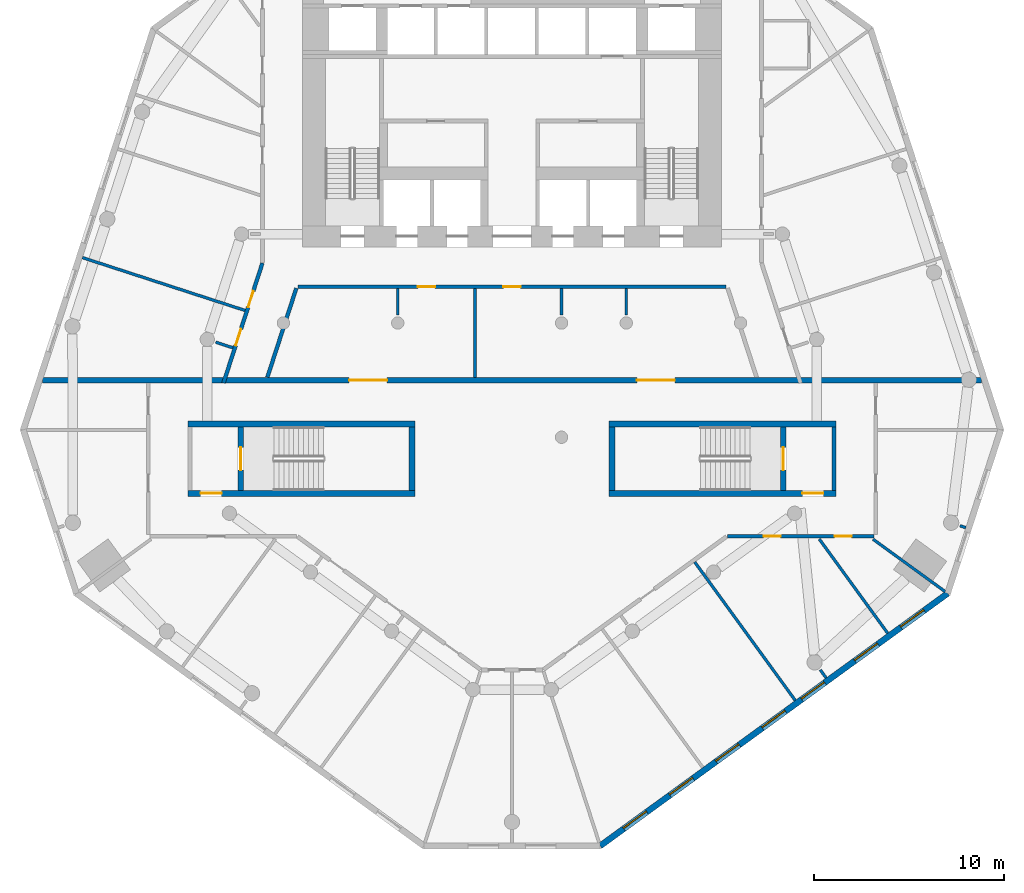
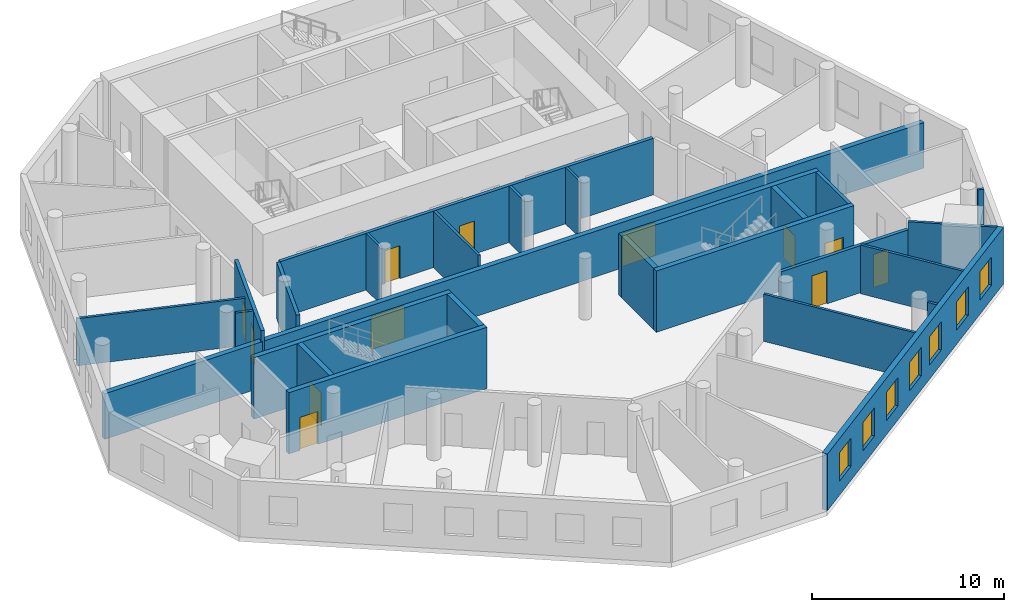
# One storey, part 3 of 9: 26 walls, 12 doors, 7 windows, 19 openings.
"""IFC4 building model written with IfcOpenShell, lengths in metres."""

from ifc_helpers import new_model, si_unit, direction, frame, frame_2d, origin, place, context, subcontext, project, spatial, rectangle, extrude, material, layer, layer_set, type_object, element, fill, save


model = new_model("IFC4")

# Units and contexts
model_context = context("Model", 3, precision=1e-05, world=origin(), true_north=direction((0.0, 1.0)))
body_context = subcontext(model_context, "Body", "Model", "MODEL_VIEW")
ifc_project = project(units=[si_unit("LENGTHUNIT", "METRE"), si_unit("AREAUNIT", "SQUARE_METRE"), si_unit("VOLUMEUNIT", "CUBIC_METRE"), si_unit("PLANEANGLEUNIT", "RADIAN"), si_unit("MASSUNIT", "GRAM", prefix="KILO")], contexts=[model_context])

# Site, building, storey
site_placement = place(None, origin())
site = spatial("IfcSite", under=ifc_project, at=site_placement, CompositionType="ELEMENT")
building_placement = place(site_placement, origin())
building = spatial("IfcBuilding", under=site, at=building_placement, Name="White Candle Pilgrim Tower", CompositionType="ELEMENT")
storey_placement = place(building_placement, frame((0.0, 0.0, 110.300048828125)))
storey = spatial("IfcBuildingStorey", under=building, at=storey_placement, Name="L24", CompositionType="ELEMENT", Elevation=110.300048828125)

# Wall
ifc_material_1 = material(Name="Concrete C60/75", Category="concrete")
ifc_layer_1 = layer(ifc_material_1, 0.199951171875)
ifc_layer_set_1 = layer_set([ifc_layer_1], Name="Core wall 200 mm Concrete C60/75")
wall_type_1 = type_object("IfcWallType", Name="Core wall 200 mm Concrete C60/75", PredefinedType="SHEAR", material=ifc_layer_set_1)
wall_1_placement = place(storey_placement, frame((86.89990234375, 58.199951171875, 0.0), z_axis=(0.0, 0.0, 1.0), x_axis=(0.0, 1.0, 0.0)))
element("IfcWall", 1, at=wall_1_placement, inside=storey, type_object=wall_type_1, Name="WL-L24-C08", PredefinedType="SHEAR", context=body_context, shape_type="SweptSolid", body=[
    extrude(rectangle(XDim=3.35009765625, YDim=0.199951171875, at=frame_2d((1.675048828125, 0.0))), origin(), (0.0, 0.0, 1.0), 3.89990234375),
])

# Wall, openings, doors
ifc_material_2 = material(Name="Gypsum board on steel studs", Category="steel")
ifc_layer_2 = layer(ifc_material_2, 0.199951171875)
ifc_layer_set_2 = layer_set([ifc_layer_2], Name="Corridor wall 200 mm EI 45")
wall_type_2 = type_object("IfcWallType", Name="Corridor wall 200 mm EI 45", PredefinedType="PARTITIONING", material=ifc_layer_set_2)
wall_2_placement = place(storey_placement, frame((54.850341796875, 63.85009765625, 0.0), z_axis=(0.0, 0.0, 1.0), x_axis=(0.309001809517, 0.951061450021, 0.0)))
wall_2 = element("IfcWall", 2, at=wall_2_placement, inside=storey, type_object=wall_type_2, Name="WL-L24-P002", PredefinedType="PARTITIONING", context=body_context, shape_type="SweptSolid", body=[
    extrude(rectangle(XDim=6.616943359375, YDim=0.199951171875, at=frame_2d((3.30859375, 0.0))), origin(), (0.0, 0.0, 1.0), 3.599853515625),
])
opening_1_placement = place(wall_2_placement, frame((2.076171875, 0.0, 0.0)))
opening_1 = element("IfcOpeningElement", 3, at=opening_1_placement, cuts=wall_2, Name="Opening T07-117", PredefinedType="OPENING", context=body_context, shape_type="SweptSolid", body=[
    extrude(rectangle(XDim=0.89990234375, YDim=2.10009765625, at=frame_2d((0.449951171875, 1.050048828125))), frame((0.0, 0.10986328125, 0.0), z_axis=(0.0, -1.0, 0.0), x_axis=(1.0, 0.0, 0.0)), (0.0, 0.0, 1.0), 0.219970703125),
])
opening_2_placement = place(wall_2_placement, frame((4.181884765625, 0.0, 0.0)))
opening_2 = element("IfcOpeningElement", 4, at=opening_2_placement, cuts=wall_2, Name="Opening T07-118", PredefinedType="OPENING", context=body_context, shape_type="SweptSolid", body=[
    extrude(rectangle(XDim=0.89990234375, YDim=2.10009765625, at=frame_2d((0.449951171875, 1.050048828125))), frame((0.0, 0.10986328125, 0.0), z_axis=(0.0, -1.0, 0.0), x_axis=(1.0, 0.0, 0.0)), (0.0, 0.0, 1.0), 0.219970703125),
])
ifc_material_3 = material(Name="Steel door leaf", Category="steel")
door_type_1 = type_object("IfcDoorType", Name="Fire door 900 x 2100 EI 30", OperationType="NOTDEFINED", PredefinedType="DOOR", material=ifc_material_3)
door_1_placement = place(opening_1_placement, origin())
door_1 = element("IfcDoor", 5, at=door_1_placement, inside=storey, type_object=door_type_1, Name="Door T07-117", OperationType="SINGLE_SWING_LEFT", OverallHeight=2.10009765625, OverallWidth=0.89990234375, PredefinedType="DOOR", context=body_context, shape_type="SweptSolid", body=[
    extrude(rectangle(XDim=0.89990234375, YDim=2.10009765625, at=frame_2d((0.449951171875, 1.050048828125))), frame((0.0, 0.02490234375, 0.0), z_axis=(0.0, -1.0, 0.0), x_axis=(1.0, 0.0, 0.0)), (0.0, 0.0, 1.0), 0.050048828125),
])
fill(opening_1, door_1)
door_2_placement = place(opening_2_placement, origin())
door_2 = element("IfcDoor", 6, at=door_2_placement, inside=storey, type_object=door_type_1, Name="Door T07-118", OperationType="SINGLE_SWING_RIGHT", OverallHeight=2.10009765625, OverallWidth=0.89990234375, PredefinedType="DOOR", context=body_context, shape_type="SweptSolid", body=[
    extrude(rectangle(XDim=0.89990234375, YDim=2.10009765625, at=frame_2d((0.449951171875, 1.050048828125))), frame((0.0, 0.02490234375, 0.0), z_axis=(0.0, -1.0, 0.0), x_axis=(1.0, 0.0, 0.0)), (0.0, 0.0, 1.0), 0.050048828125),
])
fill(opening_2, door_2)

wall_3_placement = place(storey_placement, frame((89.0, 55.800048828125, 0.0), z_axis=(0.0, 0.0, 1.0), x_axis=(-1.0, 0.0, 0.0)))
wall_3 = element("IfcWall", 7, at=wall_3_placement, inside=storey, type_object=wall_type_2, Name="WL-L24-P007", PredefinedType="PARTITIONING", context=body_context, shape_type="SweptSolid", body=[
    extrude(rectangle(XDim=7.68359375, YDim=0.199951171875, at=frame_2d((3.841796875, 0.0))), origin(), (0.0, 0.0, 1.0), 3.0),
])
opening_3_placement = place(wall_3_placement, frame((4.893310546875, 0.0, 0.0)))
opening_3 = element("IfcOpeningElement", 8, at=opening_3_placement, cuts=wall_3, Name="Opening T07-110", PredefinedType="OPENING", context=body_context, shape_type="SweptSolid", body=[
    extrude(rectangle(XDim=0.89990234375, YDim=2.10009765625, at=frame_2d((0.449951171875, 1.050048828125))), frame((0.0, 0.10986328125, 0.0), z_axis=(0.0, -1.0, 0.0), x_axis=(1.0, 0.0, 0.0)), (0.0, 0.0, 1.0), 0.219970703125),
])
opening_4_placement = place(wall_3_placement, frame((1.16162109375, 0.0, 0.0)))
opening_4 = element("IfcOpeningElement", 9, at=opening_4_placement, cuts=wall_3, Name="Opening T07-111", PredefinedType="OPENING", context=body_context, shape_type="SweptSolid", body=[
    extrude(rectangle(XDim=0.89990234375, YDim=2.10009765625, at=frame_2d((0.449951171875, 1.050048828125))), frame((0.0, 0.10986328125, 0.0), z_axis=(0.0, -1.0, 0.0), x_axis=(1.0, 0.0, 0.0)), (0.0, 0.0, 1.0), 0.219970703125),
])
door_3_placement = place(opening_3_placement, origin())
door_3 = element("IfcDoor", 10, at=door_3_placement, inside=storey, type_object=door_type_1, Name="Door T07-110", OperationType="SINGLE_SWING_RIGHT", OverallHeight=2.10009765625, OverallWidth=0.89990234375, PredefinedType="DOOR", context=body_context, shape_type="SweptSolid", body=[
    extrude(rectangle(XDim=0.89990234375, YDim=2.10009765625, at=frame_2d((0.449951171875, 1.050048828125))), frame((0.0, 0.02490234375, 0.0), z_axis=(0.0, -1.0, 0.0), x_axis=(1.0, 0.0, 0.0)), (0.0, 0.0, 1.0), 0.050048828125),
])
fill(opening_3, door_3)
door_4_placement = place(opening_4_placement, origin())
door_4 = element("IfcDoor", 11, at=door_4_placement, inside=storey, type_object=door_type_1, Name="Door T07-111", OperationType="SINGLE_SWING_LEFT", OverallHeight=2.10009765625, OverallWidth=0.89990234375, PredefinedType="DOOR", context=body_context, shape_type="SweptSolid", body=[
    extrude(rectangle(XDim=0.89990234375, YDim=2.10009765625, at=frame_2d((0.449951171875, 1.050048828125))), frame((0.0, 0.02490234375, 0.0), z_axis=(0.0, -1.0, 0.0), x_axis=(1.0, 0.0, 0.0)), (0.0, 0.0, 1.0), 0.050048828125),
])
fill(opening_4, door_4)

wall_4_placement = place(storey_placement, frame((81.22802734375, 68.89990234375, 0.0), z_axis=(0.0, 0.0, 1.0), x_axis=(-1.0, 0.0, 0.0)))
wall_4 = element("IfcWall", 12, at=wall_4_placement, inside=storey, type_object=wall_type_2, Name="WL-L24-P013", PredefinedType="PARTITIONING", context=body_context, shape_type="SweptSolid", body=[
    extrude(rectangle(XDim=22.4560546875, YDim=0.199951171875, at=frame_2d((11.22802734375, 0.0))), origin(), (0.0, 0.0, 1.0), 3.599853515625),
])
opening_5_placement = place(wall_4_placement, frame((10.778076171875, 0.0, 0.0)))
opening_5 = element("IfcOpeningElement", 13, at=opening_5_placement, cuts=wall_4, Name="Opening T07-128", PredefinedType="OPENING", context=body_context, shape_type="SweptSolid", body=[
    extrude(rectangle(XDim=0.89990234375, YDim=2.10009765625, at=frame_2d((0.449951171875, 1.050048828125))), frame((0.0, 0.10986328125, 0.0), z_axis=(0.0, -1.0, 0.0), x_axis=(1.0, 0.0, 0.0)), (0.0, 0.0, 1.0), 0.219970703125),
])
opening_6_placement = place(wall_4_placement, frame((15.269287109375, 0.0, 0.0)))
opening_6 = element("IfcOpeningElement", 14, at=opening_6_placement, cuts=wall_4, Name="Opening T07-129", PredefinedType="OPENING", context=body_context, shape_type="SweptSolid", body=[
    extrude(rectangle(XDim=0.89990234375, YDim=2.10009765625, at=frame_2d((0.449951171875, 1.050048828125))), frame((0.0, 0.10986328125, 0.0), z_axis=(0.0, -1.0, 0.0), x_axis=(1.0, 0.0, 0.0)), (0.0, 0.0, 1.0), 0.219970703125),
])
door_5_placement = place(opening_5_placement, origin())
door_5 = element("IfcDoor", 15, at=door_5_placement, inside=storey, type_object=door_type_1, Name="Door T07-128", OperationType="SINGLE_SWING_RIGHT", OverallHeight=2.10009765625, OverallWidth=0.89990234375, PredefinedType="DOOR", context=body_context, shape_type="SweptSolid", body=[
    extrude(rectangle(XDim=0.89990234375, YDim=2.10009765625, at=frame_2d((0.449951171875, 1.050048828125))), frame((0.0, 0.02490234375, 0.0), z_axis=(0.0, -1.0, 0.0), x_axis=(1.0, 0.0, 0.0)), (0.0, 0.0, 1.0), 0.050048828125),
])
fill(opening_5, door_5)
door_6_placement = place(opening_6_placement, origin())
door_6 = element("IfcDoor", 16, at=door_6_placement, inside=storey, type_object=door_type_1, Name="Door T07-129", OperationType="SINGLE_SWING_LEFT", OverallHeight=2.10009765625, OverallWidth=0.89990234375, PredefinedType="DOOR", context=body_context, shape_type="SweptSolid", body=[
    extrude(rectangle(XDim=0.89990234375, YDim=2.10009765625, at=frame_2d((0.449951171875, 1.050048828125))), frame((0.0, 0.02490234375, 0.0), z_axis=(0.0, -1.0, 0.0), x_axis=(1.0, 0.0, 0.0)), (0.0, 0.0, 1.0), 0.050048828125),
])
fill(opening_6, door_6)

# Wall
wall_5_placement = place(storey_placement, frame((58.6767578125, 68.830810546875, 0.0), z_axis=(0.0, 0.0, 1.0), x_axis=(-0.309031112369, -0.951051928965, 0.0)))
element("IfcWall", 17, at=wall_5_placement, inside=storey, type_object=wall_type_2, Name="WL-L24-P014", PredefinedType="PARTITIONING", context=body_context, shape_type="SweptSolid", body=[
    extrude(rectangle(XDim=4.921875, YDim=0.199951171875, at=frame_2d((2.4609375, 0.0))), origin(), (0.0, 0.0, 1.0), 3.599853515625),
])

# Wall, openings, windows
ifc_material_4 = material(Name="Precast concrete C40/50", Category="concrete")
ifc_layer_3 = layer(ifc_material_4, 0.320068359375)
ifc_layer_set_3 = layer_set([ifc_layer_3], Name="Facade wall EW1 precast concrete C40/50 pier wall with timber-lined reveals")
wall_type_3 = type_object("IfcWallType", Name="Facade wall EW1 precast concrete C40/50 pier wall with timber-lined reveals", PredefinedType="SOLIDWALL", material=ifc_layer_set_3)
wall_6_placement = place(storey_placement, frame((74.631103515625, 39.545166015625, 0.0), z_axis=(0.0, 0.0, 1.0), x_axis=(0.809019687389, 0.587781545659, 0.0)))
wall_6 = element("IfcWall", 18, at=wall_6_placement, inside=storey, type_object=wall_type_3, Name="Facade wall L24 SE", PredefinedType="SOLIDWALL", context=body_context, shape_type="SweptSolid", body=[
    extrude(rectangle(XDim=22.551513671875, YDim=0.320068359375, at=frame_2d((11.27587890625, 0.0))), origin(), (0.0, 0.0, 1.0), 3.599853515625),
])
opening_7_placement = place(wall_6_placement, frame((1.52587890625, 0.0, 0.89990234375)))
opening_7 = element("IfcOpeningElement", 19, at=opening_7_placement, cuts=wall_6, Name="Opening W1", PredefinedType="OPENING", context=body_context, shape_type="SweptSolid", body=[
    extrude(rectangle(XDim=1.5, YDim=1.800048828125, at=frame_2d((0.75, 0.89990234375))), frame((0.0, 0.169921875, 0.0), z_axis=(0.0, -1.0, 0.0), x_axis=(1.0, 0.0, 0.0)), (0.0, 0.0, 1.0), 0.340087890625),
])
opening_8_placement = place(wall_6_placement, frame((4.52587890625, 0.0, 0.89990234375)))
opening_8 = element("IfcOpeningElement", 20, at=opening_8_placement, cuts=wall_6, Name="Opening W1", PredefinedType="OPENING", context=body_context, shape_type="SweptSolid", body=[
    extrude(rectangle(XDim=1.5, YDim=1.800048828125, at=frame_2d((0.75, 0.89990234375))), frame((0.0, 0.169921875, 0.0), z_axis=(0.0, -1.0, 0.0), x_axis=(1.0, 0.0, 0.0)), (0.0, 0.0, 1.0), 0.340087890625),
])
opening_9_placement = place(wall_6_placement, frame((7.52587890625, 0.0, 0.89990234375)))
opening_9 = element("IfcOpeningElement", 21, at=opening_9_placement, cuts=wall_6, Name="Opening W1", PredefinedType="OPENING", context=body_context, shape_type="SweptSolid", body=[
    extrude(rectangle(XDim=1.5, YDim=1.800048828125, at=frame_2d((0.75, 0.89990234375))), frame((0.0, 0.169921875, 0.0), z_axis=(0.0, -1.0, 0.0), x_axis=(1.0, 0.0, 0.0)), (0.0, 0.0, 1.0), 0.340087890625),
])
opening_10_placement = place(wall_6_placement, frame((10.52587890625, 0.0, 0.89990234375)))
opening_10 = element("IfcOpeningElement", 22, at=opening_10_placement, cuts=wall_6, Name="Opening W1", PredefinedType="OPENING", context=body_context, shape_type="SweptSolid", body=[
    extrude(rectangle(XDim=1.5, YDim=1.800048828125, at=frame_2d((0.75, 0.89990234375))), frame((0.0, 0.169921875, 0.0), z_axis=(0.0, -1.0, 0.0), x_axis=(1.0, 0.0, 0.0)), (0.0, 0.0, 1.0), 0.340087890625),
])
opening_11_placement = place(wall_6_placement, frame((13.075927734375, 0.0, 0.89990234375)))
opening_11 = element("IfcOpeningElement", 23, at=opening_11_placement, cuts=wall_6, Name="Opening W1", PredefinedType="OPENING", context=body_context, shape_type="SweptSolid", body=[
    extrude(rectangle(XDim=1.5, YDim=1.800048828125, at=frame_2d((0.75, 0.89990234375))), frame((0.0, 0.169921875, 0.0), z_axis=(0.0, -1.0, 0.0), x_axis=(1.0, 0.0, 0.0)), (0.0, 0.0, 1.0), 0.340087890625),
])
opening_12_placement = place(wall_6_placement, frame((16.52587890625, 0.0, 0.89990234375)))
opening_12 = element("IfcOpeningElement", 24, at=opening_12_placement, cuts=wall_6, Name="Opening W1", PredefinedType="OPENING", context=body_context, shape_type="SweptSolid", body=[
    extrude(rectangle(XDim=1.5, YDim=1.800048828125, at=frame_2d((0.75, 0.89990234375))), frame((0.0, 0.169921875, 0.0), z_axis=(0.0, -1.0, 0.0), x_axis=(1.0, 0.0, 0.0)), (0.0, 0.0, 1.0), 0.340087890625),
])
opening_13_placement = place(wall_6_placement, frame((19.52587890625, 0.0, 0.89990234375)))
opening_13 = element("IfcOpeningElement", 25, at=opening_13_placement, cuts=wall_6, Name="Opening W1", PredefinedType="OPENING", context=body_context, shape_type="SweptSolid", body=[
    extrude(rectangle(XDim=1.5, YDim=1.800048828125, at=frame_2d((0.75, 0.89990234375))), frame((0.0, 0.169921875, 0.0), z_axis=(0.0, -1.0, 0.0), x_axis=(1.0, 0.0, 0.0)), (0.0, 0.0, 1.0), 0.340087890625),
])
ifc_material_5 = material(Name="Timber frame with triple glazing", Category="wood")
window_type = type_object("IfcWindowType", Name="Window W1 1500x1800 timber frame triple glazing", PartitioningType="SINGLE_PANEL", PredefinedType="WINDOW", material=ifc_material_5)
window_1_placement = place(opening_7_placement, origin())
window_1 = element("IfcWindow", 26, at=window_1_placement, inside=storey, type_object=window_type, Name="Window W1 L24 SE 1", OverallHeight=1.800048828125, OverallWidth=1.5, PartitioningType="SINGLE_PANEL", PredefinedType="WINDOW", context=body_context, shape_type="SweptSolid", body=[
    extrude(rectangle(XDim=1.5, YDim=1.800048828125, at=frame_2d((0.75, 0.89990234375))), frame((0.0, 0.070068359375, 0.0), z_axis=(0.0, -1.0, 0.0), x_axis=(1.0, 0.0, 0.0)), (0.0, 0.0, 1.0), 0.06005859375),
])
fill(opening_7, window_1)
window_2_placement = place(opening_8_placement, origin())
window_2 = element("IfcWindow", 27, at=window_2_placement, inside=storey, type_object=window_type, Name="Window W1 L24 SE 2", OverallHeight=1.800048828125, OverallWidth=1.5, PartitioningType="SINGLE_PANEL", PredefinedType="WINDOW", context=body_context, shape_type="SweptSolid", body=[
    extrude(rectangle(XDim=1.5, YDim=1.800048828125, at=frame_2d((0.75, 0.89990234375))), frame((0.0, 0.070068359375, 0.0), z_axis=(0.0, -1.0, 0.0), x_axis=(1.0, 0.0, 0.0)), (0.0, 0.0, 1.0), 0.06005859375),
])
fill(opening_8, window_2)
window_3_placement = place(opening_9_placement, origin())
window_3 = element("IfcWindow", 28, at=window_3_placement, inside=storey, type_object=window_type, Name="Window W1 L24 SE 3", OverallHeight=1.800048828125, OverallWidth=1.5, PartitioningType="SINGLE_PANEL", PredefinedType="WINDOW", context=body_context, shape_type="SweptSolid", body=[
    extrude(rectangle(XDim=1.5, YDim=1.800048828125, at=frame_2d((0.75, 0.89990234375))), frame((0.0, 0.070068359375, 0.0), z_axis=(0.0, -1.0, 0.0), x_axis=(1.0, 0.0, 0.0)), (0.0, 0.0, 1.0), 0.06005859375),
])
fill(opening_9, window_3)
window_4_placement = place(opening_10_placement, origin())
window_4 = element("IfcWindow", 29, at=window_4_placement, inside=storey, type_object=window_type, Name="Window W1 L24 SE 4", OverallHeight=1.800048828125, OverallWidth=1.5, PartitioningType="SINGLE_PANEL", PredefinedType="WINDOW", context=body_context, shape_type="SweptSolid", body=[
    extrude(rectangle(XDim=1.5, YDim=1.800048828125, at=frame_2d((0.75, 0.89990234375))), frame((0.0, 0.070068359375, 0.0), z_axis=(0.0, -1.0, 0.0), x_axis=(1.0, 0.0, 0.0)), (0.0, 0.0, 1.0), 0.06005859375),
])
fill(opening_10, window_4)
window_5_placement = place(opening_11_placement, origin())
window_5 = element("IfcWindow", 30, at=window_5_placement, inside=storey, type_object=window_type, Name="Window W1 L24 SE 5", OverallHeight=1.800048828125, OverallWidth=1.5, PartitioningType="SINGLE_PANEL", PredefinedType="WINDOW", context=body_context, shape_type="SweptSolid", body=[
    extrude(rectangle(XDim=1.5, YDim=1.800048828125, at=frame_2d((0.75, 0.89990234375))), frame((0.0, 0.070068359375, 0.0), z_axis=(0.0, -1.0, 0.0), x_axis=(1.0, 0.0, 0.0)), (0.0, 0.0, 1.0), 0.06005859375),
])
fill(opening_11, window_5)
window_6_placement = place(opening_12_placement, origin())
window_6 = element("IfcWindow", 31, at=window_6_placement, inside=storey, type_object=window_type, Name="Window W1 L24 SE 6", OverallHeight=1.800048828125, OverallWidth=1.5, PartitioningType="SINGLE_PANEL", PredefinedType="WINDOW", context=body_context, shape_type="SweptSolid", body=[
    extrude(rectangle(XDim=1.5, YDim=1.800048828125, at=frame_2d((0.75, 0.89990234375))), frame((0.0, 0.070068359375, 0.0), z_axis=(0.0, -1.0, 0.0), x_axis=(1.0, 0.0, 0.0)), (0.0, 0.0, 1.0), 0.06005859375),
])
fill(opening_12, window_6)
window_7_placement = place(opening_13_placement, origin())
window_7 = element("IfcWindow", 32, at=window_7_placement, inside=storey, type_object=window_type, Name="Window W1 L24 SE 7", OverallHeight=1.800048828125, OverallWidth=1.5, PartitioningType="SINGLE_PANEL", PredefinedType="WINDOW", context=body_context, shape_type="SweptSolid", body=[
    extrude(rectangle(XDim=1.5, YDim=1.800048828125, at=frame_2d((0.75, 0.89990234375))), frame((0.0, 0.070068359375, 0.0), z_axis=(0.0, -1.0, 0.0), x_axis=(1.0, 0.0, 0.0)), (0.0, 0.0, 1.0), 0.06005859375),
])
fill(opening_13, window_7)

# Wall, openings, doors
ifc_material_6 = material(Name="Aerated concrete block", Category="concrete")
ifc_layer_4 = layer(ifc_material_6, 0.300048828125)
ifc_layer_set_4 = layer_set([ifc_layer_4], Name="Fire wall 300 mm REI 240")
wall_type_4 = type_object("IfcWallType", Name="Fire wall 300 mm REI 240", PredefinedType="PARTITIONING", material=ifc_layer_set_4)
wall_7_placement = place(storey_placement, frame((45.351806640625, 64.0, 0.0), z_axis=(0.0, 0.0, 1.0), x_axis=(1.0, 0.0, 0.0)))
wall_7 = element("IfcWall", 33, at=wall_7_placement, inside=storey, type_object=wall_type_4, Name="WL-L24-P001", PredefinedType="PARTITIONING", context=body_context, shape_type="SweptSolid", body=[
    extrude(rectangle(XDim=49.29638671875, YDim=0.300048828125, at=frame_2d((24.648193359375, 0.0))), origin(), (0.0, 0.0, 1.0), 2.89990234375),
])
opening_14_placement = place(wall_7_placement, frame((16.09765625, 0.0, 0.0)))
opening_14 = element("IfcOpeningElement", 34, at=opening_14_placement, cuts=wall_7, Name="Opening T07-114", PredefinedType="OPENING", context=body_context, shape_type="SweptSolid", body=[
    extrude(rectangle(XDim=2.0, YDim=2.10009765625, at=frame_2d((1.0, 1.050048828125))), frame((0.0, 0.159912109375, 0.0), z_axis=(0.0, -1.0, 0.0), x_axis=(1.0, 0.0, 0.0)), (0.0, 0.0, 1.0), 0.320068359375),
])
opening_15_placement = place(wall_7_placement, frame((31.19873046875, 0.0, 0.0)))
opening_15 = element("IfcOpeningElement", 35, at=opening_15_placement, cuts=wall_7, Name="Opening T07-115", PredefinedType="OPENING", context=body_context, shape_type="SweptSolid", body=[
    extrude(rectangle(XDim=2.0, YDim=2.10009765625, at=frame_2d((1.0, 1.050048828125))), frame((0.0, 0.159912109375, 0.0), z_axis=(0.0, -1.0, 0.0), x_axis=(1.0, 0.0, 0.0)), (0.0, 0.0, 1.0), 0.320068359375),
])
door_type_2 = type_object("IfcDoorType", Name="Fire door 2000 x 2100 EI 60", OperationType="NOTDEFINED", PredefinedType="DOOR", material=ifc_material_3)
door_7_placement = place(opening_14_placement, origin())
door_7 = element("IfcDoor", 36, at=door_7_placement, inside=storey, type_object=door_type_2, Name="Door T07-114", OperationType="DOUBLE_DOOR_SINGLE_SWING", OverallHeight=2.10009765625, OverallWidth=2.0, PredefinedType="DOOR", context=body_context, shape_type="SweptSolid", body=[
    extrude(rectangle(XDim=2.0, YDim=2.10009765625, at=frame_2d((1.0, 1.050048828125))), frame((0.0, 0.02490234375, 0.0), z_axis=(0.0, -1.0, 0.0), x_axis=(1.0, 0.0, 0.0)), (0.0, 0.0, 1.0), 0.050048828125),
])
fill(opening_14, door_7)
door_8_placement = place(opening_15_placement, origin())
door_8 = element("IfcDoor", 37, at=door_8_placement, inside=storey, type_object=door_type_2, Name="Door T07-115", OperationType="DOUBLE_DOOR_SINGLE_SWING", OverallHeight=2.10009765625, OverallWidth=2.0, PredefinedType="DOOR", context=body_context, shape_type="SweptSolid", body=[
    extrude(rectangle(XDim=2.0, YDim=2.10009765625, at=frame_2d((1.0, 1.050048828125))), frame((0.0, 0.02490234375, 0.0), z_axis=(0.0, -1.0, 0.0), x_axis=(1.0, 0.0, 0.0)), (0.0, 0.0, 1.0), 0.050048828125),
])
fill(opening_15, door_8)

# Walls
ifc_layer_5 = layer(ifc_material_2, 0.14990234375)
ifc_layer_set_5 = layer_set([ifc_layer_5], Name="Partition 150 mm EI 60")
wall_type_5 = type_object("IfcWallType", Name="Partition 150 mm EI 60", PredefinedType="PARTITIONING", material=ifc_layer_set_5)
wall_8_placement = place(storey_placement, frame((92.739501953125, 52.8994140625, 0.0), z_axis=(0.0, 0.0, 1.0), x_axis=(-0.808989118663, 0.587823618005, 0.0)))
element("IfcWall", 38, at=wall_8_placement, inside=storey, type_object=wall_type_5, Name="WL-L24-P021", PredefinedType="PARTITIONING", context=body_context, shape_type="SweptSolid", body=[
    extrude(rectangle(XDim=4.671630859375, YDim=0.14990234375, at=frame_2d((2.3359375, 0.0))), origin(), (0.0, 0.0, 1.0), 3.599853515625),
])
for number, where, z_axis, x_axis, name in (
    (39, (47.442138671875, 70.433837890625, 0.0), (0.0, 0.0, 1.0), (0.951059239389, -0.309008613427, 0.0), "WL-L24-P027"),
    (40, (84.872802734375, 47.18408203125, 0.0), (0.0, 0.0, 1.0), (-0.587790127827, 0.809013452069, 0.0), "WL-L24-P033"),
):
    element("IfcWall", number, at=place(storey_placement, frame(where, z_axis=z_axis, x_axis=x_axis)), inside=storey, type_object=wall_type_5, Name=name, PredefinedType="PARTITIONING", context=body_context, shape_type="SweptSolid", body=[
        extrude(rectangle(XDim=8.97998046875, YDim=0.14990234375, at=frame_2d((4.489990234375, 0.0))), origin(), (0.0, 0.0, 1.0), 3.0),
    ])
wall_9_placement = place(storey_placement, frame((89.72705078125, 50.710693359375, 0.0), z_axis=(0.0, 0.0, 1.0), x_axis=(-0.587789292406, 0.809014059045, 0.0)))
element("IfcWall", 41, at=wall_9_placement, inside=storey, type_object=wall_type_5, Name="WL-L24-P034", PredefinedType="PARTITIONING", context=body_context, shape_type="SweptSolid", body=[
    extrude(rectangle(XDim=6.11279296875, YDim=0.14990234375, at=frame_2d((3.056396484375, 0.0))), origin(), (0.0, 0.0, 1.0), 3.099853515625),
])
wall_10_placement = place(storey_placement, frame((68.053466796875, 64.14990234375, 0.0), z_axis=(0.0, 0.0, 1.0), x_axis=(0.0, 1.0, 0.0)))
element("IfcWall", 42, at=wall_10_placement, inside=storey, type_object=wall_type_5, Name="WL-L24-P040", PredefinedType="PARTITIONING", context=body_context, shape_type="SweptSolid", body=[
    extrude(rectangle(XDim=4.650146484375, YDim=0.14990234375, at=frame_2d((2.3251953125, 0.0))), origin(), (0.0, 0.0, 1.0), 3.599853515625),
])
wall_11_placement = place(storey_placement, frame((86.18603515625, 48.78955078125, 0.0), z_axis=(0.0, 0.0, 1.0), x_axis=(0.5877034691, -0.809076407027, 0.0)))
element("IfcWall", 43, at=wall_11_placement, inside=storey, type_object=wall_type_5, Name="WL-L24-P044", PredefinedType="PARTITIONING", context=body_context, shape_type="SweptSolid", body=[
    extrude(rectangle(XDim=0.527099609375, YDim=0.14990234375, at=frame_2d((0.263671875, 0.0))), origin(), (0.0, 0.0, 1.0), 3.599853515625),
])
wall_12_placement = place(storey_placement, frame((93.52490234375, 56.35498046875, 0.0), z_axis=(0.0, 0.0, 1.0), x_axis=(0.950866223674, -0.309602042428, 0.0)))
element("IfcWall", 44, at=wall_12_placement, inside=storey, type_object=wall_type_5, Name="WL-L24-P045", PredefinedType="PARTITIONING", context=body_context, shape_type="SweptSolid", body=[
    extrude(rectangle(XDim=0.321044921875, YDim=0.14990234375, at=frame_2d((0.16064453125, 0.0))), origin(), (0.0, 0.0, 1.0), 3.599853515625),
])
wall_13_placement = place(storey_placement, frame((54.441162109375, 65.992919921875, 0.0), z_axis=(0.0, 0.0, 1.0), x_axis=(0.951068009431, -0.308981619901, 0.0)))
element("IfcWall", 45, at=wall_13_placement, inside=storey, type_object=wall_type_5, Name="WL-L24-P052", PredefinedType="PARTITIONING", context=body_context, shape_type="SweptSolid", body=[
    extrude(rectangle(XDim=0.951416015625, YDim=0.14990234375, at=frame_2d((0.4755859375, 0.0))), origin(), (0.0, 0.0, 1.0), 3.599853515625),
])
for number, where, z_axis, x_axis, name in (
    (46, (63.997802734375, 67.4150390625, 0.0), (0.0, 0.0, 1.0), (0.0, 1.0, 0.0), "WL-L24-P053"),
    (47, (72.59765625, 67.4150390625, 0.0), (0.0, 0.0, 1.0), (0.0, 1.0, 0.0), "WL-L24-P054"),
    (48, (75.997802734375, 67.4150390625, 0.0), (0.0, 0.0, 1.0), (0.0, 1.0, 0.0), "WL-L24-P055"),
):
    element("IfcWall", number, at=place(storey_placement, frame(where, z_axis=z_axis, x_axis=x_axis)), inside=storey, type_object=wall_type_5, Name=name, PredefinedType="PARTITIONING", context=body_context, shape_type="SweptSolid", body=[
        extrude(rectangle(XDim=1.385009765625, YDim=0.14990234375, at=frame_2d((0.6923828125, 0.0))), origin(), (0.0, 0.0, 1.0), 3.599853515625),
    ])

# Wall, opening, door
ifc_layer_6 = layer(ifc_material_1, 0.300048828125)
ifc_layer_set_6 = layer_set([ifc_layer_6], Name="Stair shaft wall 300 mm Concrete C60/75")
wall_type_6 = type_object("IfcWallType", Name="Stair shaft wall 300 mm Concrete C60/75", PredefinedType="SHEAR", material=ifc_layer_set_6)
wall_14_placement = place(storey_placement, frame((53.0, 58.050048828125, 0.0), z_axis=(0.0, 0.0, 1.0), x_axis=(1.0, 0.0, 0.0)))
wall_14 = element("IfcWall", 49, at=wall_14_placement, inside=storey, type_object=wall_type_6, Name="WL-L24-C01", PredefinedType="SHEAR", context=body_context, shape_type="SweptSolid", body=[
    extrude(rectangle(XDim=11.89990234375, YDim=0.300048828125, at=frame_2d((5.949951171875, 0.0))), origin(), (0.0, 0.0, 1.0), 3.89990234375),
])
opening_16_placement = place(wall_14_placement, frame((0.64990234375, 0.0, 0.0)))
opening_16 = element("IfcOpeningElement", 50, at=opening_16_placement, cuts=wall_14, Name="Opening T07-007", PredefinedType="OPENING", context=body_context, shape_type="SweptSolid", body=[
    extrude(rectangle(XDim=1.10009765625, YDim=2.10009765625, at=frame_2d((0.550048828125, 1.050048828125))), frame((0.0, 0.159912109375, 0.0), z_axis=(0.0, -1.0, 0.0), x_axis=(1.0, 0.0, 0.0)), (0.0, 0.0, 1.0), 0.320068359375),
])
door_type_3 = type_object("IfcDoorType", Name="Fire door 1100 x 2100 EI 60", OperationType="NOTDEFINED", PredefinedType="DOOR", material=ifc_material_3)
door_9_placement = place(opening_16_placement, origin())
door_9 = element("IfcDoor", 51, at=door_9_placement, inside=storey, type_object=door_type_3, Name="Door T07-007", OperationType="SINGLE_SWING_LEFT", OverallHeight=2.10009765625, OverallWidth=1.10009765625, PredefinedType="DOOR", context=body_context, shape_type="SweptSolid", body=[
    extrude(rectangle(XDim=1.10009765625, YDim=2.10009765625, at=frame_2d((0.550048828125, 1.050048828125))), frame((0.0, 0.02490234375, 0.0), z_axis=(0.0, -1.0, 0.0), x_axis=(1.0, 0.0, 0.0)), (0.0, 0.0, 1.0), 0.050048828125),
])
fill(opening_16, door_9)

wall_15_placement = place(storey_placement, frame((75.10009765625, 58.050048828125, 0.0), z_axis=(0.0, 0.0, 1.0), x_axis=(1.0, 0.0, 0.0)))
wall_15 = element("IfcWall", 52, at=wall_15_placement, inside=storey, type_object=wall_type_6, Name="WL-L24-C02", PredefinedType="SHEAR", context=body_context, shape_type="SweptSolid", body=[
    extrude(rectangle(XDim=11.89990234375, YDim=0.300048828125, at=frame_2d((5.949951171875, 0.0))), origin(), (0.0, 0.0, 1.0), 3.89990234375),
])
opening_17_placement = place(wall_15_placement, frame((10.14990234375, 0.0, 0.0)))
opening_17 = element("IfcOpeningElement", 53, at=opening_17_placement, cuts=wall_15, Name="Opening T07-009", PredefinedType="OPENING", context=body_context, shape_type="SweptSolid", body=[
    extrude(rectangle(XDim=1.10009765625, YDim=2.10009765625, at=frame_2d((0.550048828125, 1.050048828125))), frame((0.0, 0.159912109375, 0.0), z_axis=(0.0, -1.0, 0.0), x_axis=(1.0, 0.0, 0.0)), (0.0, 0.0, 1.0), 0.320068359375),
])
door_10_placement = place(opening_17_placement, origin())
door_10 = element("IfcDoor", 54, at=door_10_placement, inside=storey, type_object=door_type_3, Name="Door T07-009", OperationType="SINGLE_SWING_LEFT", OverallHeight=2.10009765625, OverallWidth=1.10009765625, PredefinedType="DOOR", context=body_context, shape_type="SweptSolid", body=[
    extrude(rectangle(XDim=1.10009765625, YDim=2.10009765625, at=frame_2d((0.550048828125, 1.050048828125))), frame((0.0, 0.02490234375, 0.0), z_axis=(0.0, -1.0, 0.0), x_axis=(1.0, 0.0, 0.0)), (0.0, 0.0, 1.0), 0.050048828125),
])
fill(opening_17, door_10)

wall_16_placement = place(storey_placement, frame((55.75, 58.199951171875, 0.0), z_axis=(0.0, 0.0, 1.0), x_axis=(0.0, 1.0, 0.0)))
wall_16 = element("IfcWall", 55, at=wall_16_placement, inside=storey, type_object=wall_type_6, Name="WL-L24-C04", PredefinedType="SHEAR", context=body_context, shape_type="SweptSolid", body=[
    extrude(rectangle(XDim=3.35009765625, YDim=0.300048828125, at=frame_2d((1.675048828125, 0.0))), origin(), (0.0, 0.0, 1.0), 3.89990234375),
])
opening_18_placement = place(wall_16_placement, frame((1.074951171875, 0.0, 0.0)))
opening_18 = element("IfcOpeningElement", 56, at=opening_18_placement, cuts=wall_16, Name="Opening T07-008", PredefinedType="OPENING", context=body_context, shape_type="SweptSolid", body=[
    extrude(rectangle(XDim=1.199951171875, YDim=2.10009765625, at=frame_2d((0.60009765625, 1.050048828125))), frame((0.0, 0.159912109375, 0.0), z_axis=(0.0, -1.0, 0.0), x_axis=(1.0, 0.0, 0.0)), (0.0, 0.0, 1.0), 0.320068359375),
])
door_type_4 = type_object("IfcDoorType", Name="Fire door 1200 x 2100 EI 60", OperationType="NOTDEFINED", PredefinedType="DOOR", material=ifc_material_3)
door_11_placement = place(opening_18_placement, frame((1.199951171875, 0.0, 0.0), z_axis=(0.0, 0.0, 1.0), x_axis=(-1.0, 0.0, 0.0)))
door_11 = element("IfcDoor", 57, at=door_11_placement, inside=storey, type_object=door_type_4, Name="Door T07-008", OperationType="SINGLE_SWING_LEFT", OverallHeight=2.10009765625, OverallWidth=1.199951171875, PredefinedType="DOOR", context=body_context, shape_type="SweptSolid", body=[
    extrude(rectangle(XDim=1.199951171875, YDim=2.10009765625, at=frame_2d((0.60009765625, 1.050048828125))), frame((0.0, 0.02490234375, 0.0), z_axis=(0.0, -1.0, 0.0), x_axis=(1.0, 0.0, 0.0)), (0.0, 0.0, 1.0), 0.050048828125),
])
fill(opening_18, door_11)

# Walls
for number, where, z_axis, x_axis, name in (
    (58, (64.75, 58.199951171875, 0.0), (0.0, 0.0, 1.0), (0.0, 1.0, 0.0), "WL-L24-C05"),
    (59, (75.25, 58.199951171875, 0.0), (0.0, 0.0, 1.0), (0.0, 1.0, 0.0), "WL-L24-C06"),
):
    element("IfcWall", number, at=place(storey_placement, frame(where, z_axis=z_axis, x_axis=x_axis)), inside=storey, type_object=wall_type_6, Name=name, PredefinedType="SHEAR", context=body_context, shape_type="SweptSolid", body=[
        extrude(rectangle(XDim=3.35009765625, YDim=0.300048828125, at=frame_2d((1.675048828125, 0.0))), origin(), (0.0, 0.0, 1.0), 3.89990234375),
    ])

# Wall, opening, door
wall_17_placement = place(storey_placement, frame((84.25, 58.199951171875, 0.0), z_axis=(0.0, 0.0, 1.0), x_axis=(0.0, 1.0, 0.0)))
wall_17 = element("IfcWall", 60, at=wall_17_placement, inside=storey, type_object=wall_type_6, Name="WL-L24-C07", PredefinedType="SHEAR", context=body_context, shape_type="SweptSolid", body=[
    extrude(rectangle(XDim=3.35009765625, YDim=0.300048828125, at=frame_2d((1.675048828125, 0.0))), origin(), (0.0, 0.0, 1.0), 3.89990234375),
])
opening_19_placement = place(wall_17_placement, frame((1.074951171875, 0.0, 0.0)))
opening_19 = element("IfcOpeningElement", 61, at=opening_19_placement, cuts=wall_17, Name="Opening T07-010", PredefinedType="OPENING", context=body_context, shape_type="SweptSolid", body=[
    extrude(rectangle(XDim=1.199951171875, YDim=2.10009765625, at=frame_2d((0.60009765625, 1.050048828125))), frame((0.0, 0.159912109375, 0.0), z_axis=(0.0, -1.0, 0.0), x_axis=(1.0, 0.0, 0.0)), (0.0, 0.0, 1.0), 0.320068359375),
])
door_12_placement = place(opening_19_placement, origin())
door_12 = element("IfcDoor", 62, at=door_12_placement, inside=storey, type_object=door_type_4, Name="Door T07-010", OperationType="SINGLE_SWING_RIGHT", OverallHeight=2.10009765625, OverallWidth=1.199951171875, PredefinedType="DOOR", context=body_context, shape_type="SweptSolid", body=[
    extrude(rectangle(XDim=1.199951171875, YDim=2.10009765625, at=frame_2d((0.60009765625, 1.050048828125))), frame((0.0, 0.02490234375, 0.0), z_axis=(0.0, -1.0, 0.0), x_axis=(1.0, 0.0, 0.0)), (0.0, 0.0, 1.0), 0.050048828125),
])
fill(opening_19, door_12)

# Walls
for number, where, z_axis, x_axis, name in (
    (63, (53.0, 61.699951171875, 0.0), (0.0, 0.0, 1.0), (1.0, 0.0, 0.0), "WL-L24-C09"),
    (64, (75.10009765625, 61.699951171875, 0.0), (0.0, 0.0, 1.0), (1.0, 0.0, 0.0), "WL-L24-C10"),
):
    element("IfcWall", number, at=place(storey_placement, frame(where, z_axis=z_axis, x_axis=x_axis)), inside=storey, type_object=wall_type_6, Name=name, PredefinedType="SHEAR", context=body_context, shape_type="SweptSolid", body=[
        extrude(rectangle(XDim=11.89990234375, YDim=0.300048828125, at=frame_2d((5.949951171875, 0.0))), origin(), (0.0, 0.0, 1.0), 3.89990234375),
    ])

save(model, "model.ifc")
